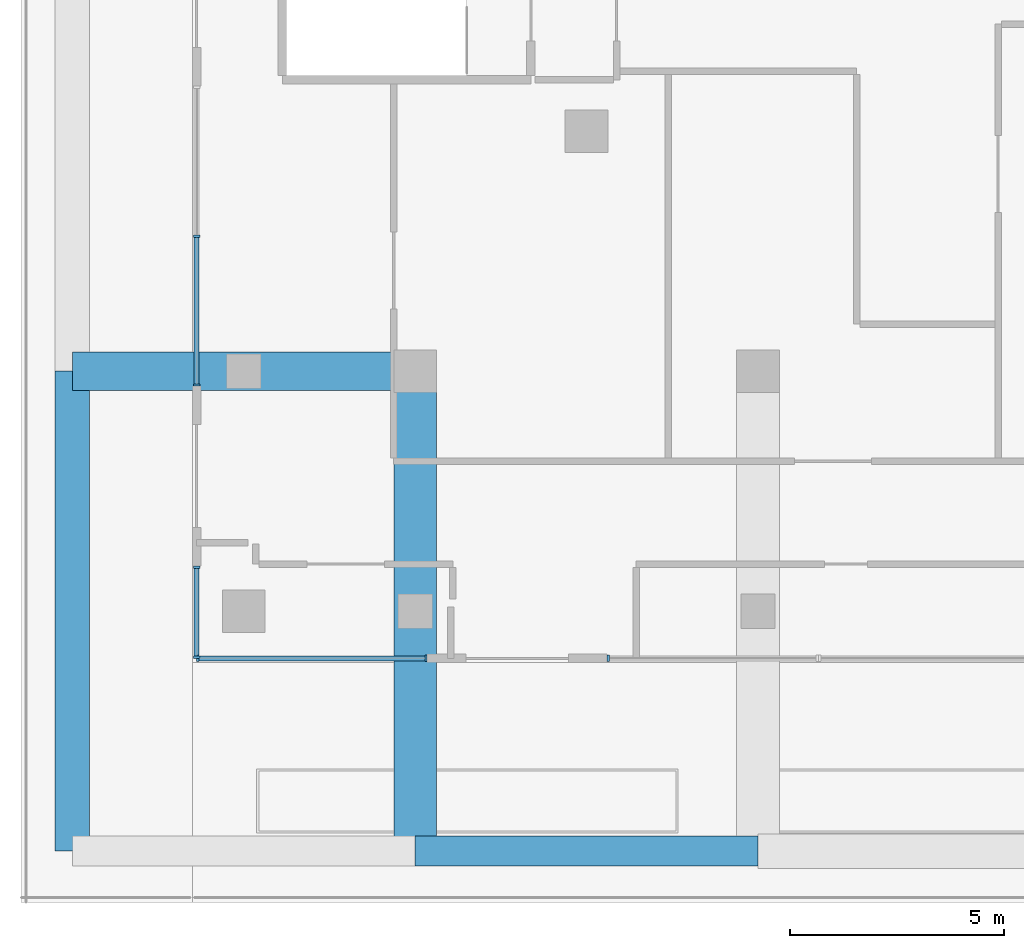
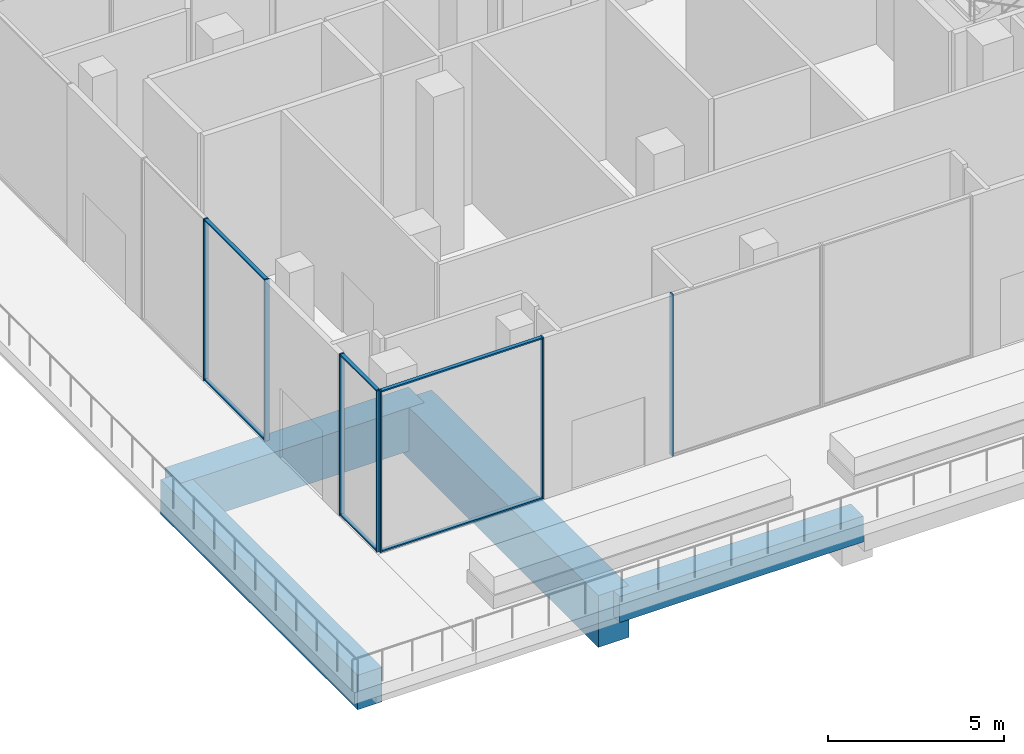
# One storey, part 2 of 36: 13 members, 4 beams, 4 elements without a shape of their own.
"""IFC4 building model written with IfcOpenShell, lengths in metres."""

from ifc_helpers import new_model, si_unit, direction, frame, origin, origin_2d, place, context, subcontext, project, spatial, rectangle, extrude, material, layer, layer_set, material_profile, profile_set, type_object, element, aggregate, save


model = new_model("IFC4")

# Units and contexts
model_context = context("Model", 3, precision=1e-05, world=origin(), true_north=direction((0.0, 1.0)))
body_context = subcontext(model_context, "Body", "Model", "MODEL_VIEW")
ifc_project = project(units=[si_unit("LENGTHUNIT", "METRE"), si_unit("AREAUNIT", "SQUARE_METRE"), si_unit("VOLUMEUNIT", "CUBIC_METRE"), si_unit("PLANEANGLEUNIT", "RADIAN"), si_unit("MASSUNIT", "GRAM", prefix="KILO")], contexts=[model_context])

# Site, building, storey
site_placement = place(None, origin())
site = spatial("IfcSite", under=ifc_project, at=site_placement, CompositionType="ELEMENT")
building_placement = place(site_placement, origin())
building = spatial("IfcBuilding", under=site, at=building_placement, Name="Triada Interchange Tower", CompositionType="ELEMENT")
storey_placement = place(building_placement, frame((0.0, 0.0, 8.5)))
storey = spatial("IfcBuildingStorey", under=building, at=storey_placement, Name="L01", CompositionType="ELEMENT", Elevation=8.5)

# Curtain wall, members
ifc_material_1 = material(Name="Aluminium framed glazing", Category="aluminium")
ifc_layer = layer(ifc_material_1, 0.199951171875)
ifc_layer_set = layer_set([ifc_layer], Name="Curtain wall Retail shopfront")
curtain_wall_type = type_object("IfcCurtainWallType", Name="Curtain wall Retail shopfront", PredefinedType="NOTDEFINED", material=ifc_layer_set)
curtain_wall_1_placement = place(storey_placement, origin())
curtain_wall_1 = element("IfcCurtainWall", 1, at=curtain_wall_1_placement, inside=storey, type_object=curtain_wall_type, Name="Retail shopfront CW001 L01", PredefinedType="NOTDEFINED")
ifc_material_2 = material(Name="Aluminium", Category="aluminium")
ifc_material_profile_1 = material_profile(ifc_material_2, rectangle(XDim=0.14990234375, YDim=0.050048828125, at=origin_2d()), Name="Aluminium mullion")
ifc_profile_set_1 = profile_set([ifc_material_profile_1], Name="Aluminium")
member_type_1 = type_object("IfcMemberType", Name="Mullion Retail shopfront 150x50", PredefinedType="MULLION", material=ifc_profile_set_1)
member_1_placement = place(storey_placement, frame((-35.875, -44.800048828125, 0.0), z_axis=(0.0, 0.0, 1.0), x_axis=(0.0, 1.0, 0.0)))
member_1 = element("IfcMember", 2, at=member_1_placement, type_object=member_type_1, Name="CW001 mullion 1", PredefinedType="MULLION", context=body_context, shape_type="SweptSolid", body=[
    extrude(rectangle(XDim=0.14990234375, YDim=0.050048828125, at=origin_2d()), origin(), (0.0, 0.0, 1.0), 5.60009765625),
])
member_2_placement = place(storey_placement, frame((-30.544921875, -44.800048828125, 0.0), z_axis=(0.0, 0.0, 1.0), x_axis=(0.0, 1.0, 0.0)))
member_2 = element("IfcMember", 3, at=member_2_placement, type_object=member_type_1, Name="CW001 mullion 2", PredefinedType="MULLION", context=body_context, shape_type="SweptSolid", body=[
    extrude(rectangle(XDim=0.14990234375, YDim=0.050048828125, at=origin_2d()), origin(), (0.0, 0.0, 1.0), 5.60009765625),
])

# Curtain wall, member
curtain_wall_2_placement = place(storey_placement, origin())
curtain_wall_2 = element("IfcCurtainWall", 4, at=curtain_wall_2_placement, inside=storey, type_object=curtain_wall_type, Name="Retail shopfront CW002 L01", PredefinedType="NOTDEFINED")
member_3_placement = place(storey_placement, frame((-26.294921875, -44.800048828125, 0.0), z_axis=(0.0, 0.0, 1.0), x_axis=(0.0, 1.0, 0.0)))
member_3 = element("IfcMember", 5, at=member_3_placement, type_object=member_type_1, Name="CW002 mullion 1", PredefinedType="MULLION", context=body_context, shape_type="SweptSolid", body=[
    extrude(rectangle(XDim=0.14990234375, YDim=0.050048828125, at=origin_2d()), origin(), (0.0, 0.0, 1.0), 5.60009765625),
])
aggregate(curtain_wall_2, [member_3])

# Curtain wall, members
curtain_wall_3_placement = place(storey_placement, origin())
curtain_wall_3 = element("IfcCurtainWall", 6, at=curtain_wall_3_placement, inside=storey, type_object=curtain_wall_type, Name="Retail shopfront CW039 L01", PredefinedType="NOTDEFINED")
member_4_placement = place(storey_placement, frame((-35.89990234375, -34.949951171875, 0.0), z_axis=(0.0, 0.0, 1.0), x_axis=(1.0, 0.0, 0.0)))
member_4 = element("IfcMember", 7, at=member_4_placement, type_object=member_type_1, Name="CW039 mullion 2", PredefinedType="MULLION", context=body_context, shape_type="SweptSolid", body=[
    extrude(rectangle(XDim=0.14990234375, YDim=0.050048828125, at=origin_2d()), origin(), (0.0, 0.0, 1.0), 5.60009765625),
])
member_5_placement = place(storey_placement, frame((-35.89990234375, -38.425048828125, 0.0), z_axis=(0.0, 0.0, 1.0), x_axis=(1.0, 0.0, 0.0)))
member_5 = element("IfcMember", 8, at=member_5_placement, type_object=member_type_1, Name="CW039 mullion 3", PredefinedType="MULLION", context=body_context, shape_type="SweptSolid", body=[
    extrude(rectangle(XDim=0.14990234375, YDim=0.050048828125, at=origin_2d()), origin(), (0.0, 0.0, 1.0), 5.60009765625),
])

curtain_wall_4_placement = place(storey_placement, origin())
curtain_wall_4 = element("IfcCurtainWall", 9, at=curtain_wall_4_placement, inside=storey, type_object=curtain_wall_type, Name="Retail shopfront CW040 L01", PredefinedType="NOTDEFINED")
member_6_placement = place(storey_placement, frame((-35.89990234375, -42.675048828125, 0.0), z_axis=(0.0, 0.0, 1.0), x_axis=(1.0, 0.0, 0.0)))
member_6 = element("IfcMember", 10, at=member_6_placement, type_object=member_type_1, Name="CW040 mullion 1", PredefinedType="MULLION", context=body_context, shape_type="SweptSolid", body=[
    extrude(rectangle(XDim=0.14990234375, YDim=0.050048828125, at=origin_2d()), origin(), (0.0, 0.0, 1.0), 5.60009765625),
])
member_7_placement = place(storey_placement, frame((-35.89990234375, -44.77490234375, 0.0), z_axis=(0.0, 0.0, 1.0), x_axis=(1.0, 0.0, 0.0)))
member_7 = element("IfcMember", 11, at=member_7_placement, type_object=member_type_1, Name="CW040 mullion 2", PredefinedType="MULLION", context=body_context, shape_type="SweptSolid", body=[
    extrude(rectangle(XDim=0.14990234375, YDim=0.050048828125, at=origin_2d()), origin(), (0.0, 0.0, 1.0), 5.60009765625),
])

# Beams
ifc_material_3 = material(Name="Concrete C40/50", Category="concrete")
ifc_material_profile_2 = material_profile(ifc_material_3, rectangle(XDim=0.699951171875, YDim=0.89990234375, at=origin_2d()), Name="RC 700x900")
ifc_profile_set_2 = profile_set([ifc_material_profile_2], Name="Concrete C40/50")
beam_type_1 = type_object("IfcBeamType", Name="Terrace beam RC 700x900", PredefinedType="BEAM", material=ifc_profile_set_2)
beam_1_placement = place(storey_placement, frame((-30.800048828125, -49.300048828125, -0.85009765625), z_axis=(1.0, 0.0, 0.0), x_axis=(0.0, 1.0, 0.0)))
element("IfcBeam", 12, at=beam_1_placement, inside=storey, type_object=beam_type_1, Name="Terrace beam TE07 L01", PredefinedType="BEAM", context=body_context, shape_type="SweptSolid", body=[
    extrude(rectangle(XDim=0.699951171875, YDim=0.89990234375, at=origin_2d()), origin(), (0.0, 0.0, 1.0), 8.0),
])
ifc_material_profile_3 = material_profile(ifc_material_3, rectangle(XDim=0.800048828125, YDim=1.199951171875, at=origin_2d()), Name="RC 800x1200")
ifc_profile_set_3 = profile_set([ifc_material_profile_3], Name="Concrete C40/50")
beam_type_2 = type_object("IfcBeamType", Name="Terrace beam RC 800x1200", PredefinedType="BEAM", material=ifc_profile_set_3)
beam_2_placement = place(storey_placement, frame((-38.800048828125, -49.300048828125, -1.0), z_axis=(0.0, 1.0, 0.0), x_axis=(-1.0, 0.0, 0.0)))
element("IfcBeam", 13, at=beam_2_placement, inside=storey, type_object=beam_type_2, Name="Terrace beam TE02 L01", PredefinedType="BEAM", context=body_context, shape_type="SweptSolid", body=[
    extrude(rectangle(XDim=0.800048828125, YDim=1.199951171875, at=origin_2d()), origin(), (0.0, 0.0, 1.0), 11.199951171875),
])
ifc_material_4 = material(Name="Concrete C50/60", Category="concrete")
ifc_material_profile_4 = material_profile(ifc_material_4, rectangle(XDim=1.0, YDim=1.800048828125, at=origin_2d()), Name="RC 1000x1800")
ifc_profile_set_4 = profile_set([ifc_material_profile_4], Name="Concrete C50/60")
beam_type_3 = type_object("IfcBeamType", Name="Transfer girder RC 1000x1800", PredefinedType="BEAM", material=ifc_profile_set_4)
beam_3_placement = place(storey_placement, frame((-30.800048828125, -49.300048828125, -1.300048828125), z_axis=(0.0, 1.0, 0.0), x_axis=(-1.0, 0.0, 0.0)))
element("IfcBeam", 14, at=beam_3_placement, inside=storey, type_object=beam_type_3, Name="Transfer girder TG05 L01", PredefinedType="BEAM", context=body_context, shape_type="SweptSolid", body=[
    extrude(rectangle(XDim=1.0, YDim=1.800048828125, at=origin_2d()), origin(), (0.0, 0.0, 1.0), 11.199951171875),
])
ifc_material_profile_5 = material_profile(ifc_material_4, rectangle(XDim=0.89990234375, YDim=1.5, at=origin_2d()), Name="RC 900x1500")
ifc_profile_set_5 = profile_set([ifc_material_profile_5], Name="Concrete C50/60")
beam_type_4 = type_object("IfcBeamType", Name="Transfer girder RC 900x1500", PredefinedType="BEAM", material=ifc_profile_set_5)
beam_4_placement = place(storey_placement, frame((-38.800048828125, -38.10009765625, -1.14990234375), z_axis=(1.0, 0.0, 0.0), x_axis=(0.0, 1.0, 0.0)))
element("IfcBeam", 15, at=beam_4_placement, inside=storey, type_object=beam_type_4, Name="Transfer girder TG01 L01", PredefinedType="BEAM", context=body_context, shape_type="SweptSolid", body=[
    extrude(rectangle(XDim=0.89990234375, YDim=1.5, at=origin_2d()), origin(), (0.0, 0.0, 1.0), 8.0),
])

# Member
ifc_material_profile_6 = material_profile(ifc_material_2, rectangle(XDim=0.1201171875, YDim=0.050048828125, at=origin_2d()), Name="Aluminium transom")
ifc_profile_set_6 = profile_set([ifc_material_profile_6], Name="Aluminium")
member_type_2 = type_object("IfcMemberType", Name="Transom Retail shopfront 120x50", PredefinedType="USERDEFINED", material=ifc_profile_set_6)
member_8_placement = place(storey_placement, frame((-35.85009765625, -44.800048828125, 0.02490234375), z_axis=(1.0, 0.0, 0.0), x_axis=(0.0, 1.0, 0.0)))
member_8 = element("IfcMember", 16, at=member_8_placement, type_object=member_type_2, Name="CW001 transom 1.1", ObjectType="TRANSOM", PredefinedType="USERDEFINED", context=body_context, shape_type="SweptSolid", body=[
    extrude(rectangle(XDim=0.1201171875, YDim=0.050048828125, at=origin_2d()), origin(), (0.0, 0.0, 1.0), 5.280029296875),
])

member_9_placement = place(storey_placement, frame((-35.85009765625, -44.800048828125, 5.574951171875), z_axis=(1.0, 0.0, 0.0), x_axis=(0.0, 1.0, 0.0)))
member_9 = element("IfcMember", 17, at=member_9_placement, type_object=member_type_2, Name="CW001 transom 1.2", ObjectType="TRANSOM", PredefinedType="USERDEFINED", context=body_context, shape_type="SweptSolid", body=[
    extrude(rectangle(XDim=0.1201171875, YDim=0.050048828125, at=origin_2d()), origin(), (0.0, 0.0, 1.0), 5.280029296875),
])

aggregate(curtain_wall_1, [member_1, member_2, member_8, member_9])

member_10_placement = place(storey_placement, frame((-35.89990234375, -34.97509765625, 0.02490234375), z_axis=(0.0, -1.0, 0.0), x_axis=(1.0, 0.0, 0.0)))
member_10 = element("IfcMember", 18, at=member_10_placement, type_object=member_type_2, Name="CW039 transom 2.1", ObjectType="TRANSOM", PredefinedType="USERDEFINED", context=body_context, shape_type="SweptSolid", body=[
    extrude(rectangle(XDim=0.1201171875, YDim=0.050048828125, at=origin_2d()), origin(), (0.0, 0.0, 1.0), 3.4248046875),
])

member_11_placement = place(storey_placement, frame((-35.89990234375, -34.97509765625, 5.574951171875), z_axis=(0.0, -1.0, 0.0), x_axis=(1.0, 0.0, 0.0)))
member_11 = element("IfcMember", 19, at=member_11_placement, type_object=member_type_2, Name="CW039 transom 2.2", ObjectType="TRANSOM", PredefinedType="USERDEFINED", context=body_context, shape_type="SweptSolid", body=[
    extrude(rectangle(XDim=0.1201171875, YDim=0.050048828125, at=origin_2d()), origin(), (0.0, 0.0, 1.0), 3.4248046875),
])

aggregate(curtain_wall_3, [member_4, member_5, member_10, member_11])

member_12_placement = place(storey_placement, frame((-35.89990234375, -42.699951171875, 0.02490234375), z_axis=(0.0, -1.0, 0.0), x_axis=(1.0, 0.0, 0.0)))
member_12 = element("IfcMember", 20, at=member_12_placement, type_object=member_type_2, Name="CW040 transom 1.1", ObjectType="TRANSOM", PredefinedType="USERDEFINED", context=body_context, shape_type="SweptSolid", body=[
    extrude(rectangle(XDim=0.1201171875, YDim=0.050048828125, at=origin_2d()), origin(), (0.0, 0.0, 1.0), 2.050048828125),
])

member_13_placement = place(storey_placement, frame((-35.89990234375, -42.699951171875, 5.574951171875), z_axis=(0.0, -1.0, 0.0), x_axis=(1.0, 0.0, 0.0)))
member_13 = element("IfcMember", 21, at=member_13_placement, type_object=member_type_2, Name="CW040 transom 1.2", ObjectType="TRANSOM", PredefinedType="USERDEFINED", context=body_context, shape_type="SweptSolid", body=[
    extrude(rectangle(XDim=0.1201171875, YDim=0.050048828125, at=origin_2d()), origin(), (0.0, 0.0, 1.0), 2.050048828125),
])

aggregate(curtain_wall_4, [member_6, member_7, member_12, member_13])

save(model, "model.ifc")
